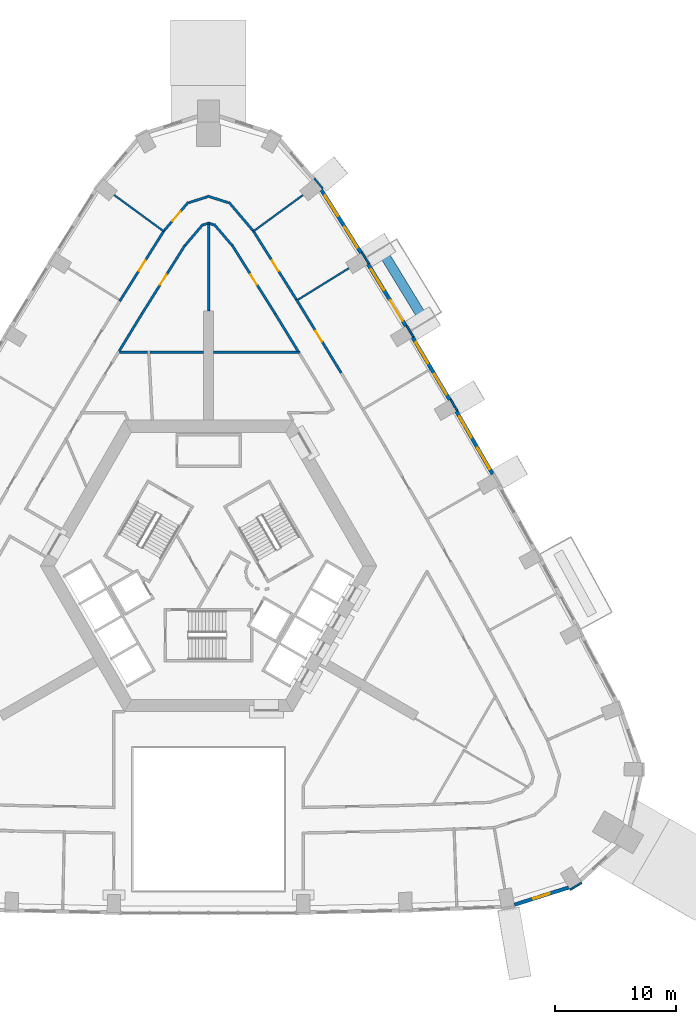
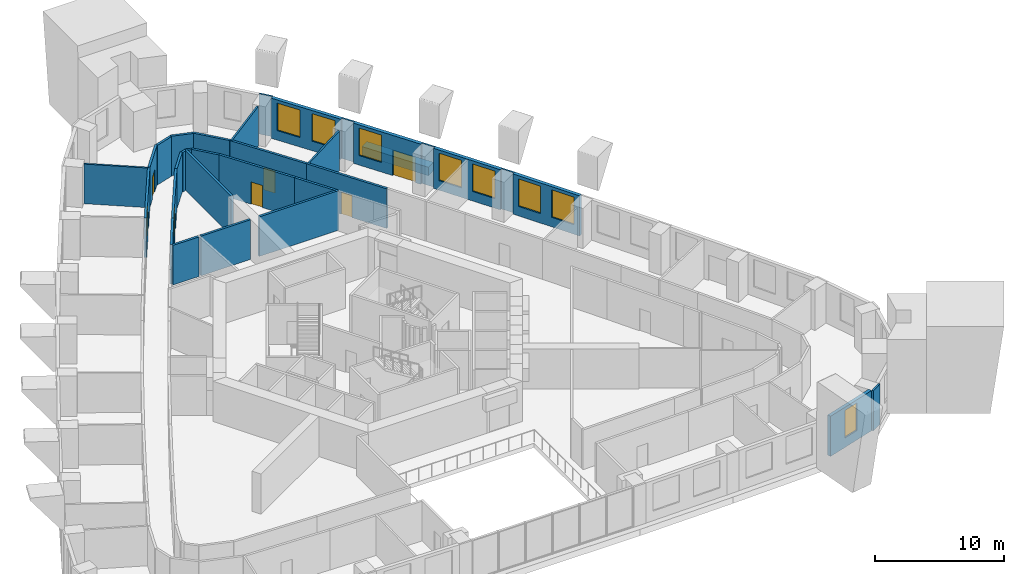
# One storey, part 9 of 14: 33 walls, 8 windows, 7 doors, 15 openings.
"""IFC4 building model written with IfcOpenShell, lengths in metres."""

from ifc_helpers import new_model, si_unit, direction, frame, frame_2d, origin, place, context, subcontext, project, spatial, rectangle, extrude, material, layer, layer_set, type_object, element, fill, save


model = new_model("IFC4")

# Units and contexts
model_context = context("Model", 3, precision=1e-05, world=origin(), true_north=direction((0.0, 1.0)))
body_context = subcontext(model_context, "Body", "Model", "MODEL_VIEW")
ifc_project = project(units=[si_unit("LENGTHUNIT", "METRE"), si_unit("AREAUNIT", "SQUARE_METRE"), si_unit("VOLUMEUNIT", "CUBIC_METRE"), si_unit("PLANEANGLEUNIT", "RADIAN"), si_unit("MASSUNIT", "GRAM", prefix="KILO")], contexts=[model_context])

# Site, building, storey
site_placement = place(None, origin())
site = spatial("IfcSite", under=ifc_project, at=site_placement, CompositionType="ELEMENT")
building_placement = place(site_placement, origin())
building = spatial("IfcBuilding", under=site, at=building_placement, Name="Entoto Arch Interchange Tower", CompositionType="ELEMENT")
storey_placement = place(building_placement, frame((0.0, 0.0, 176.0)))
storey = spatial("IfcBuildingStorey", under=building, at=storey_placement, Name="L39", CompositionType="ELEMENT", Elevation=176.0)

# Walls
ifc_material_1 = material(Name="Gypsum board partition on steel studs", Category="steel")
ifc_layer_1 = layer(ifc_material_1, 0.14990234375)
ifc_layer_set_1 = layer_set([ifc_layer_1], Name="Gypsum board partition on steel studs")
wall_type_1 = type_object("IfcWallType", Name="PARTITION 150", PredefinedType="PARTITIONING", material=ifc_layer_set_1)
wall_1_placement = place(storey_placement, frame((7.35791015625, 24.41796875, 0.0), z_axis=(0.0, 0.0, 1.0), x_axis=(0.850136365231, 0.526562589358, 0.0)))
element("IfcWall", 1, at=wall_1_placement, inside=storey, type_object=wall_type_1, Name="wall:L39:p118", PredefinedType="PARTITIONING", context=body_context, shape_type="SweptSolid", body=[
    extrude(rectangle(XDim=4.929931640625, YDim=0.14990234375, at=frame_2d((2.46484375, 0.0))), origin(), (0.0, 0.0, 1.0), 3.75),
])
for number, where, z_axis, x_axis, name in (
    (2, (3.698974609375, 30.05810546875, 0.0), (0.0, 0.0, 1.0), (0.806852521394, 0.59075291681, 0.0), "wall:L39:p119"),
    (3, (-3.698974609375, 30.05810546875, 0.0), (0.0, 0.0, 1.0), (-0.806852521394, 0.59075291681, 0.0), "wall:L39:p120"),
):
    element("IfcWall", number, at=place(storey_placement, frame(where, z_axis=z_axis, x_axis=x_axis)), inside=storey, type_object=wall_type_1, Name=name, PredefinedType="PARTITIONING", context=body_context, shape_type="SweptSolid", body=[
        extrude(rectangle(XDim=5.04443359375, YDim=0.14990234375, at=frame_2d((2.522216796875, 0.0))), origin(), (0.0, 0.0, 1.0), 3.75),
    ])
ifc_layer_2 = layer(ifc_material_1, 0.199951171875)
ifc_layer_set_2 = layer_set([ifc_layer_2], Name="Gypsum board partition on steel studs")
wall_type_2 = type_object("IfcWallType", Name="PARTITION 200", PredefinedType="PARTITIONING", material=ifc_layer_set_2)
wall_2_placement = place(storey_placement, frame((7.364990234375, 20.18505859375, 0.0), z_axis=(0.0, 0.0, 1.0), x_axis=(-0.521206053955, 0.853430869679, 0.0)))
element("IfcWall", 4, at=wall_2_placement, inside=storey, type_object=wall_type_2, Name="wall:L39:p012", PredefinedType="PARTITIONING", context=body_context, shape_type="SweptSolid", body=[
    extrude(rectangle(XDim=3.60302734375, YDim=0.199951171875, at=frame_2d((1.801513671875, 0.0))), origin(), (0.0, 0.0, 1.0), 3.75),
])

# Wall, opening, door
wall_3_placement = place(storey_placement, frame((5.487060546875, 23.260009765625, 0.0), z_axis=(0.0, 0.0, 1.0), x_axis=(-0.531656179122, 0.846960274866, 0.0)))
wall_3 = element("IfcWall", 5, at=wall_3_placement, inside=storey, type_object=wall_type_2, Name="wall:L39:p013", PredefinedType="PARTITIONING", context=body_context, shape_type="SweptSolid", body=[
    extrude(rectangle(XDim=6.65673828125, YDim=0.199951171875, at=frame_2d((3.328369140625, 0.0))), origin(), (0.0, 0.0, 1.0), 3.75),
])
opening_1_placement = place(wall_3_placement, frame((2.827880859375, 0.0, 0.0)))
opening_1 = element("IfcOpeningElement", 6, at=opening_1_placement, cuts=wall_3, Name="Opening L39-D25", PredefinedType="OPENING", context=body_context, shape_type="SweptSolid", body=[
    extrude(rectangle(XDim=1.0, YDim=2.10009765625, at=frame_2d((0.5, 1.050048828125))), frame((0.0, 0.10986328125, 0.0), z_axis=(0.0, -1.0, 0.0), x_axis=(1.0, 0.0, 0.0)), (0.0, 0.0, 1.0), 0.219970703125),
])
ifc_material_2 = material(Name="Timber door leaf in Steel S235 frame", Category="steel")
door_type_1 = type_object("IfcDoorType", Name="DOOR DS-10 1000x2100", OperationType="SINGLE_SWING_LEFT", PredefinedType="DOOR", material=ifc_material_2)
door_1_placement = place(opening_1_placement, origin())
door_1 = element("IfcDoor", 7, at=door_1_placement, inside=storey, type_object=door_type_1, Name="door:L39:25", OperationType="SINGLE_SWING_LEFT", OverallHeight=2.10009765625, OverallWidth=1.0, PredefinedType="DOOR", context=body_context, shape_type="SweptSolid", body=[
    extrude(rectangle(XDim=1.0, YDim=2.10009765625, at=frame_2d((0.5, 1.050048828125))), frame((0.0, 0.02490234375, 0.0), z_axis=(0.0, -1.0, 0.0), x_axis=(1.0, 0.0, 0.0)), (0.0, 0.0, 1.0), 0.050048828125),
])
fill(opening_1, door_1)

# Walls
wall_4_placement = place(storey_placement, frame((1.93603515625, 28.889892578125, 0.0), z_axis=(0.0, 0.0, 1.0), x_axis=(-0.647388540773, 0.762160138866, 0.0)))
element("IfcWall", 8, at=wall_4_placement, inside=storey, type_object=wall_type_2, Name="wall:L39:p014", PredefinedType="PARTITIONING", context=body_context, shape_type="SweptSolid", body=[
    extrude(rectangle(XDim=2.291015625, YDim=0.199951171875, at=frame_2d((1.1455078125, 0.0))), origin(), (0.0, 0.0, 1.0), 3.75),
])
wall_5_placement = place(storey_placement, frame((0.423095703125, 30.590087890625, 0.0), z_axis=(0.0, 0.0, 1.0), x_axis=(-0.954074901128, 0.29956816092, 0.0)))
element("IfcWall", 9, at=wall_5_placement, inside=storey, type_object=wall_type_2, Name="wall:L39:p015", PredefinedType="PARTITIONING", context=body_context, shape_type="SweptSolid", body=[
    extrude(rectangle(XDim=0.343994140625, YDim=0.199951171875, at=frame_2d((0.171875, 0.0))), origin(), (0.0, 0.0, 1.0), 3.75),
])
wall_6_placement = place(storey_placement, frame((-0.048095703125, 30.7080078125, 0.0), z_axis=(0.0, 0.0, 1.0), x_axis=(-0.953948026088, -0.299971937891, 0.0)))
element("IfcWall", 10, at=wall_6_placement, inside=storey, type_object=wall_type_2, Name="wall:L39:p016", PredefinedType="PARTITIONING", context=body_context, shape_type="SweptSolid", body=[
    extrude(rectangle(XDim=0.39306640625, YDim=0.199951171875, at=frame_2d((0.196533203125, 0.0))), origin(), (0.0, 0.0, 1.0), 3.75),
])
wall_7_placement = place(storey_placement, frame((-0.452880859375, 30.635986328125, 0.0), z_axis=(0.0, 0.0, 1.0), x_axis=(-0.647388540773, -0.762160138866, 0.0)))
element("IfcWall", 11, at=wall_7_placement, inside=storey, type_object=wall_type_2, Name="wall:L39:p017", PredefinedType="PARTITIONING", context=body_context, shape_type="SweptSolid", body=[
    extrude(rectangle(XDim=2.291015625, YDim=0.199951171875, at=frame_2d((1.1455078125, 0.0))), origin(), (0.0, 0.0, 1.0), 3.75),
])

# Wall, opening, door
wall_8_placement = place(storey_placement, frame((-1.947998046875, 28.89794921875, 0.0), z_axis=(0.0, 0.0, 1.0), x_axis=(-0.531656179122, -0.846960274866, 0.0)))
wall_8 = element("IfcWall", 12, at=wall_8_placement, inside=storey, type_object=wall_type_2, Name="wall:L39:p018", PredefinedType="PARTITIONING", context=body_context, shape_type="SweptSolid", body=[
    extrude(rectangle(XDim=6.65673828125, YDim=0.199951171875, at=frame_2d((3.328369140625, 0.0))), origin(), (0.0, 0.0, 1.0), 3.75),
])
opening_2_placement = place(wall_8_placement, frame((2.827880859375, 0.0, 0.0)))
opening_2 = element("IfcOpeningElement", 13, at=opening_2_placement, cuts=wall_8, Name="Opening L39-D26", PredefinedType="OPENING", context=body_context, shape_type="SweptSolid", body=[
    extrude(rectangle(XDim=1.0, YDim=2.10009765625, at=frame_2d((0.5, 1.050048828125))), frame((0.0, 0.10986328125, 0.0), z_axis=(0.0, -1.0, 0.0), x_axis=(1.0, 0.0, 0.0)), (0.0, 0.0, 1.0), 0.219970703125),
])
door_2_placement = place(opening_2_placement, origin())
door_2 = element("IfcDoor", 14, at=door_2_placement, inside=storey, type_object=door_type_1, Name="door:L39:26", OperationType="SINGLE_SWING_LEFT", OverallHeight=2.10009765625, OverallWidth=1.0, PredefinedType="DOOR", context=body_context, shape_type="SweptSolid", body=[
    extrude(rectangle(XDim=1.0, YDim=2.10009765625, at=frame_2d((0.5, 1.050048828125))), frame((0.0, 0.02490234375, 0.0), z_axis=(0.0, -1.0, 0.0), x_axis=(1.0, 0.0, 0.0)), (0.0, 0.0, 1.0), 0.050048828125),
])
fill(opening_2, door_2)

# Wall
wall_9_placement = place(storey_placement, frame((-5.487060546875, 23.260009765625, 0.0), z_axis=(0.0, 0.0, 1.0), x_axis=(-0.521206053955, -0.853430869679, 0.0)))
element("IfcWall", 15, at=wall_9_placement, inside=storey, type_object=wall_type_2, Name="wall:L39:p019", PredefinedType="PARTITIONING", context=body_context, shape_type="SweptSolid", body=[
    extrude(rectangle(XDim=3.60302734375, YDim=0.199951171875, at=frame_2d((1.801513671875, 0.0))), origin(), (0.0, 0.0, 1.0), 3.75),
])

# Wall, opening, door
wall_10_placement = place(storey_placement, frame((7.23388671875, 24.429931640625, 0.0), z_axis=(0.0, 0.0, 1.0), x_axis=(0.521189922749, -0.853440721096, 0.0)))
wall_10 = element("IfcWall", 16, at=wall_10_placement, inside=storey, type_object=wall_type_2, Name="wall:L39:p055", PredefinedType="PARTITIONING", context=body_context, shape_type="SweptSolid", body=[
    extrude(rectangle(XDim=7.06298828125, YDim=0.199951171875, at=frame_2d((3.531494140625, 0.0))), origin(), (0.0, 0.0, 1.0), 3.75),
])
opening_3_placement = place(wall_10_placement, frame((3.031005859375, 0.0, 0.0)))
opening_3 = element("IfcOpeningElement", 17, at=opening_3_placement, cuts=wall_10, Name="Opening L39-D07", PredefinedType="OPENING", context=body_context, shape_type="SweptSolid", body=[
    extrude(rectangle(XDim=1.0, YDim=2.10009765625, at=frame_2d((0.5, 1.050048828125))), frame((0.0, 0.10986328125, 0.0), z_axis=(0.0, -1.0, 0.0), x_axis=(1.0, 0.0, 0.0)), (0.0, 0.0, 1.0), 0.219970703125),
])
door_3_placement = place(opening_3_placement, origin())
door_3 = element("IfcDoor", 18, at=door_3_placement, inside=storey, type_object=door_type_1, Name="door:L39:07", OperationType="SINGLE_SWING_RIGHT", OverallHeight=2.10009765625, OverallWidth=1.0, PredefinedType="DOOR", context=body_context, shape_type="SweptSolid", body=[
    extrude(rectangle(XDim=1.0, YDim=2.10009765625, at=frame_2d((0.5, 1.050048828125))), frame((0.0, 0.02490234375, 0.0), z_axis=(0.0, -1.0, 0.0), x_axis=(1.0, 0.0, 0.0)), (0.0, 0.0, 1.0), 0.050048828125),
])
fill(opening_3, door_3)

wall_11_placement = place(storey_placement, frame((3.64599609375, 30.14208984375, 0.0), z_axis=(0.0, 0.0, 1.0), x_axis=(0.531621424046, -0.846982090422, 0.0)))
wall_11 = element("IfcWall", 19, at=wall_11_placement, inside=storey, type_object=wall_type_2, Name="wall:L39:p057", PredefinedType="PARTITIONING", context=body_context, shape_type="SweptSolid", body=[
    extrude(rectangle(XDim=6.745361328125, YDim=0.199951171875, at=frame_2d((3.37255859375, 0.0))), origin(), (0.0, 0.0, 1.0), 3.75),
])
opening_4_placement = place(wall_11_placement, frame((2.947998046875, 0.0, 0.0)))
opening_4 = element("IfcOpeningElement", 20, at=opening_4_placement, cuts=wall_11, Name="Opening L39-D08", PredefinedType="OPENING", context=body_context, shape_type="SweptSolid", body=[
    extrude(rectangle(XDim=1.0, YDim=2.10009765625, at=frame_2d((0.5, 1.050048828125))), frame((0.0, 0.10986328125, 0.0), z_axis=(0.0, -1.0, 0.0), x_axis=(1.0, 0.0, 0.0)), (0.0, 0.0, 1.0), 0.219970703125),
])
door_4_placement = place(opening_4_placement, origin())
door_4 = element("IfcDoor", 21, at=door_4_placement, inside=storey, type_object=door_type_1, Name="door:L39:08", OperationType="SINGLE_SWING_LEFT", OverallHeight=2.10009765625, OverallWidth=1.0, PredefinedType="DOOR", context=body_context, shape_type="SweptSolid", body=[
    extrude(rectangle(XDim=1.0, YDim=2.10009765625, at=frame_2d((0.5, 1.050048828125))), frame((0.0, 0.02490234375, 0.0), z_axis=(0.0, -1.0, 0.0), x_axis=(1.0, 0.0, 0.0)), (0.0, 0.0, 1.0), 0.050048828125),
])
fill(opening_4, door_4)

wall_12_placement = place(storey_placement, frame((-3.634033203125, 30.134033203125, 0.0), z_axis=(0.0, 0.0, 1.0), x_axis=(0.647148242723, 0.762364185899, 0.0)))
wall_12 = element("IfcWall", 22, at=wall_12_placement, inside=storey, type_object=wall_type_2, Name="wall:L39:p058", PredefinedType="PARTITIONING", context=body_context, shape_type="SweptSolid", body=[
    extrude(rectangle(XDim=3.047119140625, YDim=0.199951171875, at=frame_2d((1.5234375, 0.0))), origin(), (0.0, 0.0, 1.0), 3.75),
])
opening_5_placement = place(wall_12_placement, frame((1.02392578125, 0.0, 0.0)))
opening_5 = element("IfcOpeningElement", 23, at=opening_5_placement, cuts=wall_12, Name="Opening L39-D09", PredefinedType="OPENING", context=body_context, shape_type="SweptSolid", body=[
    extrude(rectangle(XDim=1.0, YDim=2.10009765625, at=frame_2d((0.5, 1.050048828125))), frame((0.0, 0.10986328125, 0.0), z_axis=(0.0, -1.0, 0.0), x_axis=(1.0, 0.0, 0.0)), (0.0, 0.0, 1.0), 0.219970703125),
])
door_5_placement = place(opening_5_placement, origin())
door_5 = element("IfcDoor", 24, at=door_5_placement, inside=storey, type_object=door_type_1, Name="door:L39:09", OperationType="SINGLE_SWING_LEFT", OverallHeight=2.10009765625, OverallWidth=1.0, PredefinedType="DOOR", context=body_context, shape_type="SweptSolid", body=[
    extrude(rectangle(XDim=1.0, YDim=2.10009765625, at=frame_2d((0.5, 1.050048828125))), frame((0.0, 0.02490234375, 0.0), z_axis=(0.0, -1.0, 0.0), x_axis=(1.0, 0.0, 0.0)), (0.0, 0.0, 1.0), 0.050048828125),
])
fill(opening_5, door_5)

# Walls
wall_13_placement = place(storey_placement, frame((-1.632080078125, 32.410888671875, 0.0), z_axis=(0.0, 0.0, 1.0), x_axis=(0.953809064266, 0.300413496575, 0.0)))
element("IfcWall", 25, at=wall_13_placement, inside=storey, type_object=wall_type_2, Name="wall:L39:p059", PredefinedType="PARTITIONING", context=body_context, shape_type="SweptSolid", body=[
    extrude(rectangle(XDim=1.611572265625, YDim=0.199951171875, at=frame_2d((0.8056640625, 0.0))), origin(), (0.0, 0.0, 1.0), 3.75),
])
wall_14_placement = place(storey_placement, frame((-0.094970703125, 32.9560546875, 0.0), z_axis=(0.0, 0.0, 1.0), x_axis=(0.953617294109, -0.301021687552, 0.0)))
element("IfcWall", 26, at=wall_14_placement, inside=storey, type_object=wall_type_2, Name="wall:L39:p060", PredefinedType="PARTITIONING", context=body_context, shape_type="SweptSolid", body=[
    extrude(rectangle(XDim=1.81103515625, YDim=0.199951171875, at=frame_2d((0.905517578125, 0.0))), origin(), (0.0, 0.0, 1.0), 3.75),
])
wall_15_placement = place(storey_placement, frame((1.662109375, 32.45703125, 0.0), z_axis=(0.0, 0.0, 1.0), x_axis=(0.647148242723, -0.762364185899, 0.0)))
element("IfcWall", 27, at=wall_15_placement, inside=storey, type_object=wall_type_2, Name="wall:L39:p061", PredefinedType="PARTITIONING", context=body_context, shape_type="SweptSolid", body=[
    extrude(rectangle(XDim=3.047119140625, YDim=0.199951171875, at=frame_2d((1.5234375, 0.0))), origin(), (0.0, 0.0, 1.0), 3.75),
])

# Wall, opening, door
wall_16_placement = place(storey_placement, frame((-7.31201171875, 24.302001953125, 0.0), z_axis=(0.0, 0.0, 1.0), x_axis=(0.53166241737, 0.846956358944, 0.0)))
wall_16 = element("IfcWall", 28, at=wall_16_placement, inside=storey, type_object=wall_type_2, Name="wall:L39:p062", PredefinedType="PARTITIONING", context=body_context, shape_type="SweptSolid", body=[
    extrude(rectangle(XDim=6.895263671875, YDim=0.199951171875, at=frame_2d((3.44775390625, 0.0))), origin(), (0.0, 0.0, 1.0), 3.75),
])
opening_6_placement = place(wall_16_placement, frame((2.947998046875, 0.0, 0.0)))
opening_6 = element("IfcOpeningElement", 29, at=opening_6_placement, cuts=wall_16, Name="Opening L39-D10", PredefinedType="OPENING", context=body_context, shape_type="SweptSolid", body=[
    extrude(rectangle(XDim=1.0, YDim=2.10009765625, at=frame_2d((0.5, 1.050048828125))), frame((0.0, 0.10986328125, 0.0), z_axis=(0.0, -1.0, 0.0), x_axis=(1.0, 0.0, 0.0)), (0.0, 0.0, 1.0), 0.219970703125),
])
door_6_placement = place(opening_6_placement, origin())
door_6 = element("IfcDoor", 30, at=door_6_placement, inside=storey, type_object=door_type_1, Name="door:L39:10", OperationType="SINGLE_SWING_LEFT", OverallHeight=2.10009765625, OverallWidth=1.0, PredefinedType="DOOR", context=body_context, shape_type="SweptSolid", body=[
    extrude(rectangle(XDim=1.0, YDim=2.10009765625, at=frame_2d((0.5, 1.050048828125))), frame((0.0, 0.02490234375, 0.0), z_axis=(0.0, -1.0, 0.0), x_axis=(1.0, 0.0, 0.0)), (0.0, 0.0, 1.0), 0.050048828125),
])
fill(opening_6, door_6)

# Walls
wall_17_placement = place(storey_placement, frame((0.39990234375, 20.10009765625, 0.0), z_axis=(0.0, 0.0, 1.0), x_axis=(1.0, 0.0, 0.0)))
element("IfcWall", 31, at=wall_17_placement, inside=storey, type_object=wall_type_2, Name="wall:L39:p104", PredefinedType="PARTITIONING", context=body_context, shape_type="SweptSolid", body=[
    extrude(rectangle(XDim=7.1171875, YDim=0.199951171875, at=frame_2d((3.55859375, 0.0))), origin(), (0.0, 0.0, 1.0), 3.75),
])
wall_18_placement = place(storey_placement, frame((-4.824951171875, 20.10009765625, 0.0), z_axis=(0.0, 0.0, 1.0), x_axis=(1.0, 0.0, 0.0)))
element("IfcWall", 32, at=wall_18_placement, inside=storey, type_object=wall_type_2, Name="wall:L39:p105", PredefinedType="PARTITIONING", context=body_context, shape_type="SweptSolid", body=[
    extrude(rectangle(XDim=4.425048828125, YDim=0.199951171875, at=frame_2d((2.21240234375, 0.0))), origin(), (0.0, 0.0, 1.0), 3.75),
])
wall_19_placement = place(storey_placement, frame((-7.31689453125, 20.10009765625, 0.0), z_axis=(0.0, 0.0, 1.0), x_axis=(1.0, 0.0, 0.0)))
element("IfcWall", 33, at=wall_19_placement, inside=storey, type_object=wall_type_2, Name="wall:L39:p106", PredefinedType="PARTITIONING", context=body_context, shape_type="SweptSolid", body=[
    extrude(rectangle(XDim=2.2919921875, YDim=0.199951171875, at=frame_2d((1.14599609375, 0.0))), origin(), (0.0, 0.0, 1.0), 3.75),
])
wall_20_placement = place(storey_placement, frame((0.0, 23.5, 0.0), z_axis=(0.0, 0.0, 1.0), x_axis=(0.0, 1.0, 0.0)))
element("IfcWall", 34, at=wall_20_placement, inside=storey, type_object=wall_type_2, Name="wall:L39:p107", PredefinedType="PARTITIONING", context=body_context, shape_type="SweptSolid", body=[
    extrude(rectangle(XDim=7.322998046875, YDim=0.199951171875, at=frame_2d((3.66162109375, 0.0))), origin(), (0.0, 0.0, 1.0), 3.75),
])
ifc_material_3 = material(Name="Board-marked precast concrete C50/60", Category="concrete")
ifc_layer_3 = layer(ifc_material_3, 0.800048828125)
ifc_layer_set_3 = layer_set([ifc_layer_3], Name="Board-marked precast concrete C50/60")
wall_type_3 = type_object("IfcWallType", Name="PLANTER RC 800 Hagenia abyssinica", PredefinedType="STANDARD", material=ifc_layer_set_3)
wall_21_placement = place(storey_placement, frame((17.535888671875, 23.10107421875, 0.0), z_axis=(0.0, 0.0, 1.0), x_axis=(-0.521098354491, 0.853496634409, 0.0)))
element("IfcWall", 35, at=wall_21_placement, inside=storey, type_object=wall_type_3, Name="Planter NE-06 L39", PredefinedType="STANDARD", context=body_context, shape_type="SweptSolid", body=[
    extrude(rectangle(XDim=5.869873046875, YDim=0.800048828125, at=frame_2d((2.93505859375, 0.0))), origin(), (0.0, 0.0, 1.0), 0.800048828125),
])

# Wall, opening, window
ifc_material_4 = material(Name="Welded tuff (ignimbrite) cladding, warm buff", Category="masonry")
ifc_layer_4 = layer(ifc_material_4, 0.300048828125)
ifc_layer_set_4 = layer_set([ifc_layer_4], Name="Welded tuff (ignimbrite) cladding, warm buff")
wall_type_4 = type_object("IfcWallType", Name="STONE INFILL WALL 300", PredefinedType="STANDARD", material=ifc_layer_set_4)
wall_22_placement = place(storey_placement, frame((25.172119140625, -25.39501953125, 0.0), z_axis=(0.0, 0.0, 1.0), x_axis=(0.953145379857, 0.302512619337, 0.0)))
wall_22 = element("IfcWall", 36, at=wall_22_placement, inside=storey, type_object=wall_type_4, Name="Facade wall SE-01 L39", PredefinedType="STANDARD", context=body_context, shape_type="SweptSolid", body=[
    extrude(rectangle(XDim=4.710693359375, YDim=0.300048828125, at=frame_2d((2.35546875, 0.0))), origin(), (0.0, 0.0, 1.0), 3.800048828125),
])
opening_7_placement = place(wall_22_placement, frame((1.655029296875, 0.0, 0.89990234375)))
opening_7 = element("IfcOpeningElement", 37, at=opening_7_placement, cuts=wall_22, Name="Opening WO-B", PredefinedType="OPENING", context=body_context, shape_type="SweptSolid", body=[
    extrude(rectangle(XDim=1.39990234375, YDim=2.60009765625, at=frame_2d((0.699951171875, 1.300048828125))), frame((0.0, 0.16015625, 0.0), z_axis=(0.0, -1.0, 0.0), x_axis=(1.0, 0.0, 0.0)), (0.0, 0.0, 1.0), 0.320068359375),
])
ifc_material_5 = material(Name="Clear glass, low-e double glazed", Category="glass")
window_type_1 = type_object("IfcWindowType", Name="WINDOW WO-B 1400x2600", PartitioningType="DOUBLE_PANEL_VERTICAL", PredefinedType="WINDOW", material=ifc_material_5)
window_1_placement = place(opening_7_placement, origin())
window_1 = element("IfcWindow", 38, at=window_1_placement, inside=storey, type_object=window_type_1, Name="Window WO-B SE-01 L39", OverallHeight=2.60009765625, OverallWidth=1.39990234375, PartitioningType="SINGLE_PANEL", PredefinedType="WINDOW", context=body_context, shape_type="SweptSolid", body=[
    extrude(rectangle(XDim=1.39990234375, YDim=2.60009765625, at=frame_2d((0.699951171875, 1.300048828125))), frame((0.0, 0.030029296875, 0.0), z_axis=(0.0, -1.0, 0.0), x_axis=(1.0, 0.0, 0.0)), (0.0, 0.0, 1.0), 0.06005859375),
])
fill(opening_7, window_1)

# Wall, openings, windows
wall_23_placement = place(storey_placement, frame((23.39306640625, 10.06005859375, 0.0), z_axis=(0.0, 0.0, 1.0), x_axis=(-0.499908916093, 0.866077984716, 0.0)))
wall_23 = element("IfcWall", 39, at=wall_23_placement, inside=storey, type_object=wall_type_4, Name="Facade wall NE-04 L39", PredefinedType="STANDARD", context=body_context, shape_type="SweptSolid", body=[
    extrude(rectangle(XDim=5.96923828125, YDim=0.300048828125, at=frame_2d((2.984619140625, 0.0))), origin(), (0.0, 0.0, 1.0), 3.800048828125),
])
opening_8_placement = place(wall_23_placement, frame((0.491943359375, 0.0, 0.89990234375)))
opening_8 = element("IfcOpeningElement", 40, at=opening_8_placement, cuts=wall_23, Name="Opening WO-C", PredefinedType="OPENING", context=body_context, shape_type="SweptSolid", body=[
    extrude(rectangle(XDim=2.0, YDim=2.60009765625, at=frame_2d((1.0, 1.300048828125))), frame((0.0, 0.16015625, 0.0), z_axis=(0.0, -1.0, 0.0), x_axis=(1.0, 0.0, 0.0)), (0.0, 0.0, 1.0), 0.320068359375),
])
opening_9_placement = place(wall_23_placement, frame((3.47705078125, 0.0, 0.89990234375)))
opening_9 = element("IfcOpeningElement", 41, at=opening_9_placement, cuts=wall_23, Name="Opening WO-C", PredefinedType="OPENING", context=body_context, shape_type="SweptSolid", body=[
    extrude(rectangle(XDim=2.0, YDim=2.60009765625, at=frame_2d((1.0, 1.300048828125))), frame((0.0, 0.16015625, 0.0), z_axis=(0.0, -1.0, 0.0), x_axis=(1.0, 0.0, 0.0)), (0.0, 0.0, 1.0), 0.320068359375),
])
window_type_2 = type_object("IfcWindowType", Name="WINDOW WO-C 2000x2600", PartitioningType="DOUBLE_PANEL_VERTICAL", PredefinedType="WINDOW", material=ifc_material_5)
window_2_placement = place(opening_8_placement, origin())
window_2 = element("IfcWindow", 42, at=window_2_placement, inside=storey, type_object=window_type_2, Name="Window WO-C NE-04 L39", OverallHeight=2.60009765625, OverallWidth=2.0, PartitioningType="SINGLE_PANEL", PredefinedType="WINDOW", context=body_context, shape_type="SweptSolid", body=[
    extrude(rectangle(XDim=2.0, YDim=2.60009765625, at=frame_2d((1.0, 1.300048828125))), frame((0.0, 0.030029296875, 0.0), z_axis=(0.0, -1.0, 0.0), x_axis=(1.0, 0.0, 0.0)), (0.0, 0.0, 1.0), 0.06005859375),
])
fill(opening_8, window_2)
window_3_placement = place(opening_9_placement, origin())
window_3 = element("IfcWindow", 43, at=window_3_placement, inside=storey, type_object=window_type_2, Name="Window WO-C NE-04 L39", OverallHeight=2.60009765625, OverallWidth=2.0, PartitioningType="SINGLE_PANEL", PredefinedType="WINDOW", context=body_context, shape_type="SweptSolid", body=[
    extrude(rectangle(XDim=2.0, YDim=2.60009765625, at=frame_2d((1.0, 1.300048828125))), frame((0.0, 0.030029296875, 0.0), z_axis=(0.0, -1.0, 0.0), x_axis=(1.0, 0.0, 0.0)), (0.0, 0.0, 1.0), 0.06005859375),
])
fill(opening_9, window_3)

wall_24_placement = place(storey_placement, frame((19.85400390625, 16.177001953125, 0.0), z_axis=(0.0, 0.0, 1.0), x_axis=(-0.510653096173, 0.859786842984, 0.0)))
wall_24 = element("IfcWall", 44, at=wall_24_placement, inside=storey, type_object=wall_type_4, Name="Facade wall NE-05 L39", PredefinedType="STANDARD", context=body_context, shape_type="SweptSolid", body=[
    extrude(rectangle(XDim=5.968994140625, YDim=0.300048828125, at=frame_2d((2.984375, 0.0))), origin(), (0.0, 0.0, 1.0), 3.800048828125),
])
opening_10_placement = place(wall_24_placement, frame((0.491943359375, 0.0, 0.89990234375)))
opening_10 = element("IfcOpeningElement", 45, at=opening_10_placement, cuts=wall_24, Name="Opening WO-C", PredefinedType="OPENING", context=body_context, shape_type="SweptSolid", body=[
    extrude(rectangle(XDim=2.0, YDim=2.60009765625, at=frame_2d((1.0, 1.300048828125))), frame((0.0, 0.16015625, 0.0), z_axis=(0.0, -1.0, 0.0), x_axis=(1.0, 0.0, 0.0)), (0.0, 0.0, 1.0), 0.320068359375),
])
opening_11_placement = place(wall_24_placement, frame((3.47705078125, 0.0, 0.89990234375)))
opening_11 = element("IfcOpeningElement", 46, at=opening_11_placement, cuts=wall_24, Name="Opening WO-C", PredefinedType="OPENING", context=body_context, shape_type="SweptSolid", body=[
    extrude(rectangle(XDim=2.0, YDim=2.60009765625, at=frame_2d((1.0, 1.300048828125))), frame((0.0, 0.16015625, 0.0), z_axis=(0.0, -1.0, 0.0), x_axis=(1.0, 0.0, 0.0)), (0.0, 0.0, 1.0), 0.320068359375),
])
window_4_placement = place(opening_10_placement, origin())
window_4 = element("IfcWindow", 47, at=window_4_placement, inside=storey, type_object=window_type_2, Name="Window WO-C NE-05 L39", OverallHeight=2.60009765625, OverallWidth=2.0, PartitioningType="SINGLE_PANEL", PredefinedType="WINDOW", context=body_context, shape_type="SweptSolid", body=[
    extrude(rectangle(XDim=2.0, YDim=2.60009765625, at=frame_2d((1.0, 1.300048828125))), frame((0.0, 0.030029296875, 0.0), z_axis=(0.0, -1.0, 0.0), x_axis=(1.0, 0.0, 0.0)), (0.0, 0.0, 1.0), 0.06005859375),
])
fill(opening_10, window_4)
window_5_placement = place(opening_11_placement, origin())
window_5 = element("IfcWindow", 48, at=window_5_placement, inside=storey, type_object=window_type_2, Name="Window WO-C NE-05 L39", OverallHeight=2.60009765625, OverallWidth=2.0, PartitioningType="SINGLE_PANEL", PredefinedType="WINDOW", context=body_context, shape_type="SweptSolid", body=[
    extrude(rectangle(XDim=2.0, YDim=2.60009765625, at=frame_2d((1.0, 1.300048828125))), frame((0.0, 0.030029296875, 0.0), z_axis=(0.0, -1.0, 0.0), x_axis=(1.0, 0.0, 0.0)), (0.0, 0.0, 1.0), 0.06005859375),
])
fill(opening_11, window_5)

# Wall, openings, door, window
wall_25_placement = place(storey_placement, frame((16.239990234375, 22.25, 0.0), z_axis=(0.0, 0.0, 1.0), x_axis=(-0.521263083766, 0.8533960379, 0.0)))
wall_25 = element("IfcWall", 49, at=wall_25_placement, inside=storey, type_object=wall_type_4, Name="Facade wall NE-06 L39", PredefinedType="STANDARD", context=body_context, shape_type="SweptSolid", body=[
    extrude(rectangle(XDim=5.97021484375, YDim=0.300048828125, at=frame_2d((2.985107421875, 0.0))), origin(), (0.0, 0.0, 1.0), 3.800048828125),
])
opening_12_placement = place(wall_25_placement, frame((0.492919921875, 0.0, 0.0)))
opening_12 = element("IfcOpeningElement", 50, at=opening_12_placement, cuts=wall_25, Name="Opening DB-NE-06-L39", PredefinedType="OPENING", context=body_context, shape_type="SweptSolid", body=[
    extrude(rectangle(XDim=2.0, YDim=2.39990234375, at=frame_2d((1.0, 1.199951171875))), frame((0.0, 0.16015625, 0.0), z_axis=(0.0, -1.0, 0.0), x_axis=(1.0, 0.0, 0.0)), (0.0, 0.0, 1.0), 0.320068359375),
])
opening_13_placement = place(wall_25_placement, frame((3.47802734375, 0.0, 0.89990234375)))
opening_13 = element("IfcOpeningElement", 51, at=opening_13_placement, cuts=wall_25, Name="Opening WO-C", PredefinedType="OPENING", context=body_context, shape_type="SweptSolid", body=[
    extrude(rectangle(XDim=2.0, YDim=2.60009765625, at=frame_2d((1.0, 1.300048828125))), frame((0.0, 0.16015625, 0.0), z_axis=(0.0, -1.0, 0.0), x_axis=(1.0, 0.0, 0.0)), (0.0, 0.0, 1.0), 0.320068359375),
])
ifc_material_6 = material(Name="Aluminium and clear glass, anodised", Category="aluminium")
door_type_2 = type_object("IfcDoorType", Name="BALCONY DOOR DB 2000x2400", OperationType="SLIDING_TO_LEFT", PredefinedType="DOOR", material=ifc_material_6)
door_7_placement = place(opening_12_placement, origin())
door_7 = element("IfcDoor", 52, at=door_7_placement, inside=storey, type_object=door_type_2, Name="Balcony door NE-06 L39", OperationType="SLIDING_TO_LEFT", OverallHeight=2.39990234375, OverallWidth=2.0, PredefinedType="DOOR", context=body_context, shape_type="SweptSolid", body=[
    extrude(rectangle(XDim=2.0, YDim=2.39990234375, at=frame_2d((1.0, 1.199951171875))), frame((0.0, 0.02490234375, 0.0), z_axis=(0.0, -1.0, 0.0), x_axis=(1.0, 0.0, 0.0)), (0.0, 0.0, 1.0), 0.050048828125),
])
fill(opening_12, door_7)
window_6_placement = place(opening_13_placement, origin())
window_6 = element("IfcWindow", 53, at=window_6_placement, inside=storey, type_object=window_type_2, Name="Window WO-C NE-06 L39", OverallHeight=2.60009765625, OverallWidth=2.0, PartitioningType="SINGLE_PANEL", PredefinedType="WINDOW", context=body_context, shape_type="SweptSolid", body=[
    extrude(rectangle(XDim=2.0, YDim=2.60009765625, at=frame_2d((1.0, 1.300048828125))), frame((0.0, 0.030029296875, 0.0), z_axis=(0.0, -1.0, 0.0), x_axis=(1.0, 0.0, 0.0)), (0.0, 0.0, 1.0), 0.06005859375),
])
fill(opening_13, window_6)

# Wall, openings, windows
wall_26_placement = place(storey_placement, frame((12.550048828125, 28.279052734375, 0.0), z_axis=(0.0, 0.0, 1.0), x_axis=(-0.531816047834, 0.846859900613, 0.0)))
wall_26 = element("IfcWall", 54, at=wall_26_placement, inside=storey, type_object=wall_type_4, Name="Facade wall NE-07 L39", PredefinedType="STANDARD", context=body_context, shape_type="SweptSolid", body=[
    extrude(rectangle(XDim=6.118896484375, YDim=0.300048828125, at=frame_2d((3.0595703125, 0.0))), origin(), (0.0, 0.0, 1.0), 3.800048828125),
])
opening_14_placement = place(wall_26_placement, frame((0.530029296875, 0.0, 0.89990234375)))
opening_14 = element("IfcOpeningElement", 55, at=opening_14_placement, cuts=wall_26, Name="Opening WO-C", PredefinedType="OPENING", context=body_context, shape_type="SweptSolid", body=[
    extrude(rectangle(XDim=2.0, YDim=2.60009765625, at=frame_2d((1.0, 1.300048828125))), frame((0.0, 0.16015625, 0.0), z_axis=(0.0, -1.0, 0.0), x_axis=(1.0, 0.0, 0.0)), (0.0, 0.0, 1.0), 0.320068359375),
])
opening_15_placement = place(wall_26_placement, frame((3.589111328125, 0.0, 0.89990234375)))
opening_15 = element("IfcOpeningElement", 56, at=opening_15_placement, cuts=wall_26, Name="Opening WO-C", PredefinedType="OPENING", context=body_context, shape_type="SweptSolid", body=[
    extrude(rectangle(XDim=2.0, YDim=2.60009765625, at=frame_2d((1.0, 1.300048828125))), frame((0.0, 0.16015625, 0.0), z_axis=(0.0, -1.0, 0.0), x_axis=(1.0, 0.0, 0.0)), (0.0, 0.0, 1.0), 0.320068359375),
])
window_7_placement = place(opening_14_placement, origin())
window_7 = element("IfcWindow", 57, at=window_7_placement, inside=storey, type_object=window_type_2, Name="Window WO-C NE-07 L39", OverallHeight=2.60009765625, OverallWidth=2.0, PartitioningType="SINGLE_PANEL", PredefinedType="WINDOW", context=body_context, shape_type="SweptSolid", body=[
    extrude(rectangle(XDim=2.0, YDim=2.60009765625, at=frame_2d((1.0, 1.300048828125))), frame((0.0, 0.030029296875, 0.0), z_axis=(0.0, -1.0, 0.0), x_axis=(1.0, 0.0, 0.0)), (0.0, 0.0, 1.0), 0.06005859375),
])
fill(opening_14, window_7)
window_8_placement = place(opening_15_placement, origin())
window_8 = element("IfcWindow", 58, at=window_8_placement, inside=storey, type_object=window_type_2, Name="Window WO-C NE-07 L39", OverallHeight=2.60009765625, OverallWidth=2.0, PartitioningType="SINGLE_PANEL", PredefinedType="WINDOW", context=body_context, shape_type="SweptSolid", body=[
    extrude(rectangle(XDim=2.0, YDim=2.60009765625, at=frame_2d((1.0, 1.300048828125))), frame((0.0, 0.030029296875, 0.0), z_axis=(0.0, -1.0, 0.0), x_axis=(1.0, 0.0, 0.0)), (0.0, 0.0, 1.0), 0.06005859375),
])
fill(opening_15, window_8)

# Walls
ifc_layer_5 = layer(ifc_material_4, 0.14990234375)
ifc_layer_set_5 = layer_set([ifc_layer_5], Name="Welded tuff (ignimbrite) cladding, warm buff")
wall_type_5 = type_object("IfcWallType", Name="STONE PIER CLADDING 150", PredefinedType="STANDARD", material=ifc_layer_set_5)
wall_27_placement = place(storey_placement, frame((20.47802734375, 15.26904296875, 0.0), z_axis=(0.0, 0.0, 1.0), x_axis=(-0.50667077411, 0.862139621327, 0.0)))
element("IfcWall", 59, at=wall_27_placement, inside=storey, type_object=wall_type_5, Name="Stone pier NE05 L39", PredefinedType="STANDARD", context=body_context, shape_type="SweptSolid", body=[
    extrude(rectangle(XDim=1.099609375, YDim=0.14990234375, at=frame_2d((0.5498046875, 0.0))), origin(), (0.0, 0.0, 1.0), 3.800048828125),
])
wall_28_placement = place(storey_placement, frame((16.875, 21.35009765625, 0.0), z_axis=(0.0, 0.0, 1.0), x_axis=(-0.518178754102, 0.855272341888, 0.0)))
element("IfcWall", 60, at=wall_28_placement, inside=storey, type_object=wall_type_5, Name="Stone pier NE06 L39", PredefinedType="STANDARD", context=body_context, shape_type="SweptSolid", body=[
    extrude(rectangle(XDim=1.10009765625, YDim=0.14990234375, at=frame_2d((0.550048828125, 0.0))), origin(), (0.0, 0.0, 1.0), 3.800048828125),
])
wall_29_placement = place(storey_placement, frame((13.197021484375, 27.386962890625, 0.0), z_axis=(0.0, 0.0, 1.0), x_axis=(-0.529879262372, 0.848073090782, 0.0)))
element("IfcWall", 61, at=wall_29_placement, inside=storey, type_object=wall_type_5, Name="Stone pier NE07 L39", PredefinedType="STANDARD", context=body_context, shape_type="SweptSolid", body=[
    extrude(rectangle(XDim=1.100341796875, YDim=0.14990234375, at=frame_2d((0.55029296875, 0.0))), origin(), (0.0, 0.0, 1.0), 3.800048828125),
])
wall_30_placement = place(storey_placement, frame((9.412109375, 33.555908203125, 0.0), z_axis=(0.0, 0.0, 1.0), x_axis=(-0.639092407347, 0.769129959676, 0.0)))
element("IfcWall", 62, at=wall_30_placement, inside=storey, type_object=wall_type_5, Name="Stone pier NE08 L39", PredefinedType="STANDARD", context=body_context, shape_type="SweptSolid", body=[
    extrude(rectangle(XDim=1.10009765625, YDim=0.14990234375, at=frame_2d((0.550048828125, 0.0))), origin(), (0.0, 0.0, 1.0), 3.800048828125),
])
wall_31_placement = place(storey_placement, frame((29.77197265625, -24.153076171875, 0.0), z_axis=(0.0, 0.0, 1.0), x_axis=(0.854005542721, 0.520263907071, 0.0)))
element("IfcWall", 63, at=wall_31_placement, inside=storey, type_object=wall_type_5, Name="Stone pier SE1 L39", PredefinedType="STANDARD", context=body_context, shape_type="SweptSolid", body=[
    extrude(rectangle(XDim=1.099365234375, YDim=0.14990234375, at=frame_2d((0.5498046875, 0.0))), origin(), (0.0, 0.0, 1.0), 3.800048828125),
])

save(model, "model.ifc")
